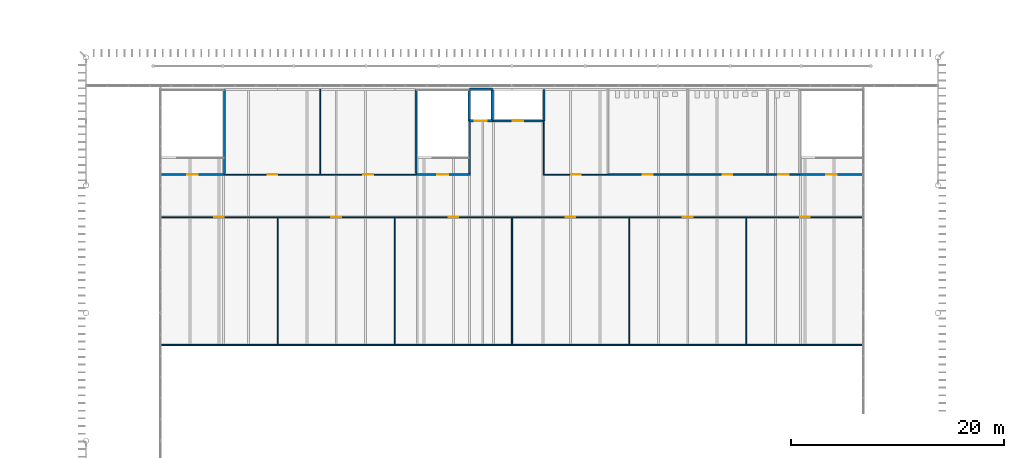
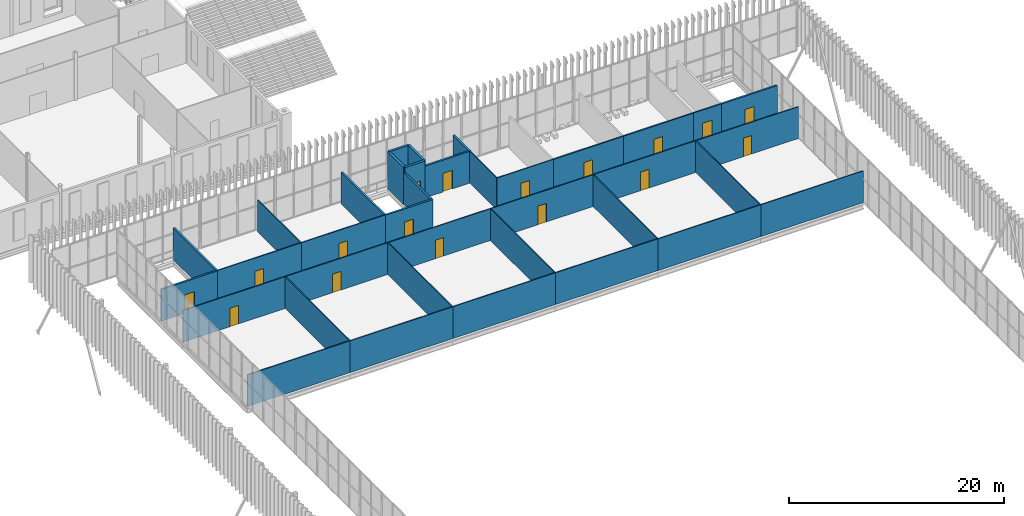
# One storey, part 110 of 170: 37 walls, 17 doors, 17 openings.
"""IFC4 building model written with IfcOpenShell, lengths in metres."""

from ifc_helpers import new_model, si_unit, direction, frame, frame_2d, origin, place, context, subcontext, project, spatial, rectangle, extrude, material, layer, layer_set, type_object, element, fill, save


model = new_model("IFC4")

# Units and contexts
model_context = context("Model", 3, precision=1e-05, world=origin(), true_north=direction((0.0, 1.0)))
body_context = subcontext(model_context, "Body", "Model", "MODEL_VIEW")
ifc_project = project(units=[si_unit("LENGTHUNIT", "METRE"), si_unit("AREAUNIT", "SQUARE_METRE"), si_unit("VOLUMEUNIT", "CUBIC_METRE"), si_unit("PLANEANGLEUNIT", "RADIAN"), si_unit("MASSUNIT", "GRAM", prefix="KILO")], contexts=[model_context])

# Site, building, storey
site_placement = place(None, origin())
site = spatial("IfcSite", under=ifc_project, at=site_placement, CompositionType="ELEMENT")
building_placement = place(site_placement, origin())
building = spatial("IfcBuilding", under=site, at=building_placement, Name="Ravi Spectrum Wholesale Market", CompositionType="ELEMENT")
storey_placement = place(building_placement, frame((0.0, 0.0, 5.39990234375)))
storey = spatial("IfcBuildingStorey", under=building, at=storey_placement, Name="L01", CompositionType="ELEMENT", Elevation=5.39990234375)

# Wall, opening, door
ifc_material_1 = material(Name="Concrete blockwork", Category="masonry")
ifc_layer_1 = layer(ifc_material_1, 0.14990234375)
ifc_layer_set_1 = layer_set([ifc_layer_1], Name="Concrete blockwork")
wall_type_1 = type_object("IfcWallType", Name="Blockwork partition 150", PredefinedType="PARTITIONING", material=ifc_layer_set_1)
wall_1_placement = place(storey_placement, frame((79.0, 187.0, 0.0), z_axis=(0.0, 0.0, 1.0), x_axis=(1.0, 0.0, 0.0)))
wall_1 = element("IfcWall", 1, at=wall_1_placement, inside=storey, type_object=wall_type_1, Name="H1-WL-L01-018", PredefinedType="PARTITIONING", context=body_context, shape_type="SweptSolid", body=[
    extrude(rectangle(XDim=7.5, YDim=0.14990234375, at=frame_2d((3.75, 0.0))), origin(), (0.0, 0.0, 1.0), 3.60009765625),
])
opening_1_placement = place(wall_1_placement, frame((3.300048828125, 0.0, 0.0)))
opening_1 = element("IfcOpeningElement", 2, at=opening_1_placement, cuts=wall_1, Name="Opening D164", PredefinedType="OPENING", context=body_context, shape_type="SweptSolid", body=[
    extrude(rectangle(XDim=0.89990234375, YDim=2.10009765625, at=frame_2d((0.449951171875, 1.050048828125))), frame((0.0, 0.0849609375, 0.0), z_axis=(0.0, -1.0, 0.0), x_axis=(1.0, 0.0, 0.0)), (0.0, 0.0, 1.0), 0.169921875),
])
ifc_material_2 = material(Name="Timber door", Category="wood")
door_type_1 = type_object("IfcDoorType", Name="Toilet door 900 x 2100", OperationType="SINGLE_SWING_LEFT", PredefinedType="DOOR", material=ifc_material_2)
door_1_placement = place(opening_1_placement, origin())
door_1 = element("IfcDoor", 3, at=door_1_placement, inside=storey, type_object=door_type_1, Name="Door D164", OperationType="SINGLE_SWING_LEFT", OverallHeight=2.10009765625, OverallWidth=0.89990234375, PredefinedType="DOOR", context=body_context, shape_type="SweptSolid", body=[
    extrude(rectangle(XDim=0.89990234375, YDim=2.10009765625, at=frame_2d((0.449951171875, 1.050048828125))), frame((0.0, 0.02490234375, 0.0), z_axis=(0.0, -1.0, 0.0), x_axis=(1.0, 0.0, 0.0)), (0.0, 0.0, 1.0), 0.050048828125),
])
fill(opening_1, door_1)

wall_2_placement = place(storey_placement, frame((86.5, 187.0, 0.0), z_axis=(0.0, 0.0, 1.0), x_axis=(1.0, 0.0, 0.0)))
wall_2 = element("IfcWall", 4, at=wall_2_placement, inside=storey, type_object=wall_type_1, Name="H1-WL-L01-019", PredefinedType="PARTITIONING", context=body_context, shape_type="SweptSolid", body=[
    extrude(rectangle(XDim=7.5, YDim=0.14990234375, at=frame_2d((3.75, 0.0))), origin(), (0.0, 0.0, 1.0), 3.60009765625),
])
opening_2_placement = place(wall_2_placement, frame((3.300048828125, 0.0, 0.0)))
opening_2 = element("IfcOpeningElement", 5, at=opening_2_placement, cuts=wall_2, Name="Opening D165", PredefinedType="OPENING", context=body_context, shape_type="SweptSolid", body=[
    extrude(rectangle(XDim=0.89990234375, YDim=2.10009765625, at=frame_2d((0.449951171875, 1.050048828125))), frame((0.0, 0.0849609375, 0.0), z_axis=(0.0, -1.0, 0.0), x_axis=(1.0, 0.0, 0.0)), (0.0, 0.0, 1.0), 0.169921875),
])
door_2_placement = place(opening_2_placement, origin())
door_2 = element("IfcDoor", 6, at=door_2_placement, inside=storey, type_object=door_type_1, Name="Door D165", OperationType="SINGLE_SWING_LEFT", OverallHeight=2.10009765625, OverallWidth=0.89990234375, PredefinedType="DOOR", context=body_context, shape_type="SweptSolid", body=[
    extrude(rectangle(XDim=0.89990234375, YDim=2.10009765625, at=frame_2d((0.449951171875, 1.050048828125))), frame((0.0, 0.02490234375, 0.0), z_axis=(0.0, -1.0, 0.0), x_axis=(1.0, 0.0, 0.0)), (0.0, 0.0, 1.0), 0.050048828125),
])
fill(opening_2, door_2)

wall_3_placement = place(storey_placement, frame((94.0, 187.0, 0.0), z_axis=(0.0, 0.0, 1.0), x_axis=(1.0, 0.0, 0.0)))
wall_3 = element("IfcWall", 7, at=wall_3_placement, inside=storey, type_object=wall_type_1, Name="H1-WL-L01-020", PredefinedType="PARTITIONING", context=body_context, shape_type="SweptSolid", body=[
    extrude(rectangle(XDim=3.0, YDim=0.14990234375, at=frame_2d((1.5, 0.0))), origin(), (0.0, 0.0, 1.0), 3.60009765625),
])
opening_3_placement = place(wall_3_placement, frame((1.0, 0.0, 0.0)))
opening_3 = element("IfcOpeningElement", 8, at=opening_3_placement, cuts=wall_3, Name="Opening D166", PredefinedType="OPENING", context=body_context, shape_type="SweptSolid", body=[
    extrude(rectangle(XDim=1.0, YDim=2.10009765625, at=frame_2d((0.5, 1.050048828125))), frame((0.0, 0.0849609375, 0.0), z_axis=(0.0, -1.0, 0.0), x_axis=(1.0, 0.0, 0.0)), (0.0, 0.0, 1.0), 0.169921875),
])
ifc_material_3 = material(Name="Timber door", Category="wood")
door_type_2 = type_object("IfcDoorType", Name="Accessible toilet door 1000 x 2100", OperationType="SINGLE_SWING_LEFT", PredefinedType="DOOR", material=ifc_material_3)
door_3_placement = place(opening_3_placement, origin())
door_3 = element("IfcDoor", 9, at=door_3_placement, inside=storey, type_object=door_type_2, Name="Door D166", OperationType="SINGLE_SWING_LEFT", OverallHeight=2.10009765625, OverallWidth=1.0, PredefinedType="DOOR", context=body_context, shape_type="SweptSolid", body=[
    extrude(rectangle(XDim=1.0, YDim=2.10009765625, at=frame_2d((0.5, 1.050048828125))), frame((0.0, 0.02490234375, 0.0), z_axis=(0.0, -1.0, 0.0), x_axis=(1.0, 0.0, 0.0)), (0.0, 0.0, 1.0), 0.050048828125),
])
fill(opening_3, door_3)

ifc_material_4 = material(Name="Concrete blockwork", Category="masonry")
ifc_layer_2 = layer(ifc_material_4, 0.199951171875)
ifc_layer_set_2 = layer_set([ifc_layer_2], Name="Concrete blockwork")
wall_type_2 = type_object("IfcWallType", Name="Blockwork partition 200 fire", PredefinedType="PARTITIONING", material=ifc_layer_set_2)
wall_4_placement = place(storey_placement, frame((37.0, 187.0, 0.0), z_axis=(0.0, 0.0, 1.0), x_axis=(1.0, 0.0, 0.0)))
wall_4 = element("IfcWall", 10, at=wall_4_placement, inside=storey, type_object=wall_type_2, Name="H1-WL-L01-013", PredefinedType="PARTITIONING", context=body_context, shape_type="SweptSolid", body=[
    extrude(rectangle(XDim=6.0, YDim=0.199951171875, at=frame_2d((3.0, 0.0))), origin(), (0.0, 0.0, 1.0), 3.60009765625),
])
opening_4_placement = place(wall_4_placement, frame((2.5, 0.0, 0.0)))
opening_4 = element("IfcOpeningElement", 11, at=opening_4_placement, cuts=wall_4, Name="Opening D176", PredefinedType="OPENING", context=body_context, shape_type="SweptSolid", body=[
    extrude(rectangle(XDim=1.0, YDim=2.10009765625, at=frame_2d((0.5, 1.050048828125))), frame((0.0, 0.10986328125, 0.0), z_axis=(0.0, -1.0, 0.0), x_axis=(1.0, 0.0, 0.0)), (0.0, 0.0, 1.0), 0.219970703125),
])
ifc_material_5 = material(Name="Steel door", Category="steel")
door_type_3 = type_object("IfcDoorType", Name="Stair door 1000 x 2100", OperationType="SINGLE_SWING_LEFT", PredefinedType="DOOR", material=ifc_material_5)
door_4_placement = place(opening_4_placement, origin())
door_4 = element("IfcDoor", 12, at=door_4_placement, inside=storey, type_object=door_type_3, Name="Door D176", OperationType="SINGLE_SWING_RIGHT", OverallHeight=2.10009765625, OverallWidth=1.0, PredefinedType="DOOR", context=body_context, shape_type="SweptSolid", body=[
    extrude(rectangle(XDim=1.0, YDim=2.10009765625, at=frame_2d((0.5, 1.050048828125))), frame((0.0, 0.02490234375, 0.0), z_axis=(0.0, -1.0, 0.0), x_axis=(1.0, 0.0, 0.0)), (0.0, 0.0, 1.0), 0.050048828125),
])
fill(opening_4, door_4)

wall_5_placement = place(storey_placement, frame((61.0, 187.0, 0.0), z_axis=(0.0, 0.0, 1.0), x_axis=(1.0, 0.0, 0.0)))
wall_5 = element("IfcWall", 13, at=wall_5_placement, inside=storey, type_object=wall_type_2, Name="H1-WL-L01-016", PredefinedType="PARTITIONING", context=body_context, shape_type="SweptSolid", body=[
    extrude(rectangle(XDim=5.10009765625, YDim=0.199951171875, at=frame_2d((2.550048828125, 0.0))), origin(), (0.0, 0.0, 1.0), 3.60009765625),
])
opening_5_placement = place(wall_5_placement, frame((2.0, 0.0, 0.0)))
opening_5 = element("IfcOpeningElement", 14, at=opening_5_placement, cuts=wall_5, Name="Opening D179", PredefinedType="OPENING", context=body_context, shape_type="SweptSolid", body=[
    extrude(rectangle(XDim=1.0, YDim=2.10009765625, at=frame_2d((0.5, 1.050048828125))), frame((0.0, 0.10986328125, 0.0), z_axis=(0.0, -1.0, 0.0), x_axis=(1.0, 0.0, 0.0)), (0.0, 0.0, 1.0), 0.219970703125),
])
door_5_placement = place(opening_5_placement, origin())
door_5 = element("IfcDoor", 15, at=door_5_placement, inside=storey, type_object=door_type_3, Name="Door D179", OperationType="SINGLE_SWING_RIGHT", OverallHeight=2.10009765625, OverallWidth=1.0, PredefinedType="DOOR", context=body_context, shape_type="SweptSolid", body=[
    extrude(rectangle(XDim=1.0, YDim=2.10009765625, at=frame_2d((0.5, 1.050048828125))), frame((0.0, 0.02490234375, 0.0), z_axis=(0.0, -1.0, 0.0), x_axis=(1.0, 0.0, 0.0)), (0.0, 0.0, 1.0), 0.050048828125),
])
fill(opening_5, door_5)

wall_6_placement = place(storey_placement, frame((97.0, 187.0, 0.0), z_axis=(0.0, 0.0, 1.0), x_axis=(1.0, 0.0, 0.0)))
wall_6 = element("IfcWall", 16, at=wall_6_placement, inside=storey, type_object=wall_type_2, Name="H1-WL-L01-021", PredefinedType="PARTITIONING", context=body_context, shape_type="SweptSolid", body=[
    extrude(rectangle(XDim=6.0, YDim=0.199951171875, at=frame_2d((3.0, 0.0))), origin(), (0.0, 0.0, 1.0), 3.60009765625),
])
opening_6_placement = place(wall_6_placement, frame((2.5, 0.0, 0.0)))
opening_6 = element("IfcOpeningElement", 17, at=opening_6_placement, cuts=wall_6, Name="Opening D177", PredefinedType="OPENING", context=body_context, shape_type="SweptSolid", body=[
    extrude(rectangle(XDim=1.0, YDim=2.10009765625, at=frame_2d((0.5, 1.050048828125))), frame((0.0, 0.10986328125, 0.0), z_axis=(0.0, -1.0, 0.0), x_axis=(1.0, 0.0, 0.0)), (0.0, 0.0, 1.0), 0.219970703125),
])
door_6_placement = place(opening_6_placement, origin())
door_6 = element("IfcDoor", 18, at=door_6_placement, inside=storey, type_object=door_type_3, Name="Door D177", OperationType="SINGLE_SWING_LEFT", OverallHeight=2.10009765625, OverallWidth=1.0, PredefinedType="DOOR", context=body_context, shape_type="SweptSolid", body=[
    extrude(rectangle(XDim=1.0, YDim=2.10009765625, at=frame_2d((0.5, 1.050048828125))), frame((0.0, 0.02490234375, 0.0), z_axis=(0.0, -1.0, 0.0), x_axis=(1.0, 0.0, 0.0)), (0.0, 0.0, 1.0), 0.050048828125),
])
fill(opening_6, door_6)

wall_7_placement = place(storey_placement, frame((68.14990234375, 192.050048828125, 0.0), z_axis=(0.0, 0.0, 1.0), x_axis=(1.0, 0.0, 0.0)))
wall_7 = element("IfcWall", 19, at=wall_7_placement, inside=storey, type_object=wall_type_2, Name="H1-WL-L01-022", PredefinedType="PARTITIONING", context=body_context, shape_type="SweptSolid", body=[
    extrude(rectangle(XDim=4.75, YDim=0.199951171875, at=frame_2d((2.375, 0.0))), origin(), (0.0, 0.0, 1.0), 3.60009765625),
])
opening_7_placement = place(wall_7_placement, frame((1.925048828125, 0.0, 0.0)))
opening_7 = element("IfcOpeningElement", 20, at=opening_7_placement, cuts=wall_7, Name="Opening D180", PredefinedType="OPENING", context=body_context, shape_type="SweptSolid", body=[
    extrude(rectangle(XDim=1.0, YDim=2.10009765625, at=frame_2d((0.5, 1.050048828125))), frame((0.0, 0.10986328125, 0.0), z_axis=(0.0, -1.0, 0.0), x_axis=(1.0, 0.0, 0.0)), (0.0, 0.0, 1.0), 0.219970703125),
])
ifc_material_6 = material(Name="Steel door", Category="steel")
door_type_4 = type_object("IfcDoorType", Name="Plant room door 1000 x 2100", OperationType="SINGLE_SWING_LEFT", PredefinedType="DOOR", material=ifc_material_6)
door_7_placement = place(opening_7_placement, origin())
door_7 = element("IfcDoor", 21, at=door_7_placement, inside=storey, type_object=door_type_4, Name="Riser access door D180", OperationType="SINGLE_SWING_LEFT", OverallHeight=2.10009765625, OverallWidth=1.0, PredefinedType="DOOR", context=body_context, shape_type="SweptSolid", body=[
    extrude(rectangle(XDim=1.0, YDim=2.10009765625, at=frame_2d((0.5, 1.050048828125))), frame((0.0, 0.02490234375, 0.0), z_axis=(0.0, -1.0, 0.0), x_axis=(1.0, 0.0, 0.0)), (0.0, 0.0, 1.0), 0.050048828125),
])
fill(opening_7, door_7)

# Walls
for number, where, z_axis, x_axis, name in (
    (22, (43.0, 187.10009765625, 0.0), (0.0, 0.0, 1.0), (0.0, 1.0, 0.0), "H1-WL-L01-023"),
    (23, (61.0, 187.10009765625, 0.0), (0.0, 0.0, 1.0), (0.0, 1.0, 0.0), "H1-WL-L01-027"),
):
    element("IfcWall", number, at=place(storey_placement, frame(where, z_axis=z_axis, x_axis=x_axis)), inside=storey, type_object=wall_type_2, Name=name, PredefinedType="PARTITIONING", context=body_context, shape_type="SweptSolid", body=[
        extrude(rectangle(XDim=7.89990234375, YDim=0.199951171875, at=frame_2d((3.949951171875, 0.0))), origin(), (0.0, 0.0, 1.0), 3.60009765625),
    ])
wall_8_placement = place(storey_placement, frame((66.0, 187.10009765625, 0.0), z_axis=(0.0, 0.0, 1.0), x_axis=(0.0, 1.0, 0.0)))
element("IfcWall", 24, at=wall_8_placement, inside=storey, type_object=wall_type_2, Name="H1-WL-L01-028", PredefinedType="PARTITIONING", context=body_context, shape_type="SweptSolid", body=[
    extrude(rectangle(XDim=4.949951171875, YDim=0.199951171875, at=frame_2d((2.47509765625, 0.0))), origin(), (0.0, 0.0, 1.0), 3.60009765625),
])
wall_9_placement = place(storey_placement, frame((73.0, 192.050048828125, 0.0), z_axis=(0.0, 0.0, 1.0), x_axis=(0.0, 1.0, 0.0)))
element("IfcWall", 25, at=wall_9_placement, inside=storey, type_object=wall_type_2, Name="H1-WL-L01-031", PredefinedType="PARTITIONING", context=body_context, shape_type="SweptSolid", body=[
    extrude(rectangle(XDim=2.949951171875, YDim=0.199951171875, at=frame_2d((1.47509765625, 0.0))), origin(), (0.0, 0.0, 1.0), 3.60009765625),
])
ifc_material_7 = material(Name="Gypsum board partition")
ifc_layer_3 = layer(ifc_material_7, 0.10009765625)
ifc_layer_set_3 = layer_set([ifc_layer_3], Name="Gypsum board partition")
wall_type_3 = type_object("IfcWallType", Name="Drywall partition 100", PredefinedType="PARTITIONING", material=ifc_layer_set_3)
for number, where, z_axis, x_axis, name in (
    (26, (37.0, 171.0, 0.0), (0.0, 0.0, 1.0), (1.0, 0.0, 0.0), "H1-WL-L01-001"),
    (27, (48.0, 171.0, 0.0), (0.0, 0.0, 1.0), (1.0, 0.0, 0.0), "H1-WL-L01-002"),
    (28, (59.0, 171.0, 0.0), (0.0, 0.0, 1.0), (1.0, 0.0, 0.0), "H1-WL-L01-003"),
    (29, (70.0, 171.0, 0.0), (0.0, 0.0, 1.0), (1.0, 0.0, 0.0), "H1-WL-L01-004"),
    (30, (81.0, 171.0, 0.0), (0.0, 0.0, 1.0), (1.0, 0.0, 0.0), "H1-WL-L01-005"),
    (31, (92.0, 171.0, 0.0), (0.0, 0.0, 1.0), (1.0, 0.0, 0.0), "H1-WL-L01-006"),
):
    element("IfcWall", number, at=place(storey_placement, frame(where, z_axis=z_axis, x_axis=x_axis)), inside=storey, type_object=wall_type_3, Name=name, PredefinedType="PARTITIONING", context=body_context, shape_type="SweptSolid", body=[
        extrude(rectangle(XDim=11.0, YDim=0.10009765625, at=frame_2d((5.5, 0.0))), origin(), (0.0, 0.0, 1.0), 3.60009765625),
    ])

# Wall, opening, door
wall_10_placement = place(storey_placement, frame((37.0, 183.0, 0.0), z_axis=(0.0, 0.0, 1.0), x_axis=(1.0, 0.0, 0.0)))
wall_10 = element("IfcWall", 32, at=wall_10_placement, inside=storey, type_object=wall_type_3, Name="H1-WL-L01-007", PredefinedType="PARTITIONING", context=body_context, shape_type="SweptSolid", body=[
    extrude(rectangle(XDim=11.0, YDim=0.10009765625, at=frame_2d((5.5, 0.0))), origin(), (0.0, 0.0, 1.0), 3.60009765625),
])
opening_8_placement = place(wall_10_placement, frame((5.050048828125, 0.0, 0.0)))
opening_8 = element("IfcOpeningElement", 33, at=opening_8_placement, cuts=wall_10, Name="Opening D167", PredefinedType="OPENING", context=body_context, shape_type="SweptSolid", body=[
    extrude(rectangle(XDim=0.89990234375, YDim=2.10009765625, at=frame_2d((0.449951171875, 1.050048828125))), frame((0.0, 0.06005859375, 0.0), z_axis=(0.0, -1.0, 0.0), x_axis=(1.0, 0.0, 0.0)), (0.0, 0.0, 1.0), 0.1201171875),
])
ifc_material_8 = material(Name="Timber door", Category="wood")
door_type_5 = type_object("IfcDoorType", Name="Office door 900 x 2100", OperationType="SINGLE_SWING_LEFT", PredefinedType="DOOR", material=ifc_material_8)
door_8_placement = place(opening_8_placement, origin())
door_8 = element("IfcDoor", 34, at=door_8_placement, inside=storey, type_object=door_type_5, Name="Door D167", OperationType="SINGLE_SWING_LEFT", OverallHeight=2.10009765625, OverallWidth=0.89990234375, PredefinedType="DOOR", context=body_context, shape_type="SweptSolid", body=[
    extrude(rectangle(XDim=0.89990234375, YDim=2.10009765625, at=frame_2d((0.449951171875, 1.050048828125))), frame((0.0, 0.02490234375, 0.0), z_axis=(0.0, -1.0, 0.0), x_axis=(1.0, 0.0, 0.0)), (0.0, 0.0, 1.0), 0.050048828125),
])
fill(opening_8, door_8)

wall_11_placement = place(storey_placement, frame((48.0, 183.0, 0.0), z_axis=(0.0, 0.0, 1.0), x_axis=(1.0, 0.0, 0.0)))
wall_11 = element("IfcWall", 35, at=wall_11_placement, inside=storey, type_object=wall_type_3, Name="H1-WL-L01-008", PredefinedType="PARTITIONING", context=body_context, shape_type="SweptSolid", body=[
    extrude(rectangle(XDim=11.0, YDim=0.10009765625, at=frame_2d((5.5, 0.0))), origin(), (0.0, 0.0, 1.0), 3.60009765625),
])
opening_9_placement = place(wall_11_placement, frame((5.050048828125, 0.0, 0.0)))
opening_9 = element("IfcOpeningElement", 36, at=opening_9_placement, cuts=wall_11, Name="Opening D168", PredefinedType="OPENING", context=body_context, shape_type="SweptSolid", body=[
    extrude(rectangle(XDim=0.89990234375, YDim=2.10009765625, at=frame_2d((0.449951171875, 1.050048828125))), frame((0.0, 0.06005859375, 0.0), z_axis=(0.0, -1.0, 0.0), x_axis=(1.0, 0.0, 0.0)), (0.0, 0.0, 1.0), 0.1201171875),
])
door_9_placement = place(opening_9_placement, origin())
door_9 = element("IfcDoor", 37, at=door_9_placement, inside=storey, type_object=door_type_5, Name="Door D168", OperationType="SINGLE_SWING_RIGHT", OverallHeight=2.10009765625, OverallWidth=0.89990234375, PredefinedType="DOOR", context=body_context, shape_type="SweptSolid", body=[
    extrude(rectangle(XDim=0.89990234375, YDim=2.10009765625, at=frame_2d((0.449951171875, 1.050048828125))), frame((0.0, 0.02490234375, 0.0), z_axis=(0.0, -1.0, 0.0), x_axis=(1.0, 0.0, 0.0)), (0.0, 0.0, 1.0), 0.050048828125),
])
fill(opening_9, door_9)

wall_12_placement = place(storey_placement, frame((59.0, 183.0, 0.0), z_axis=(0.0, 0.0, 1.0), x_axis=(1.0, 0.0, 0.0)))
wall_12 = element("IfcWall", 38, at=wall_12_placement, inside=storey, type_object=wall_type_3, Name="H1-WL-L01-009", PredefinedType="PARTITIONING", context=body_context, shape_type="SweptSolid", body=[
    extrude(rectangle(XDim=11.0, YDim=0.10009765625, at=frame_2d((5.5, 0.0))), origin(), (0.0, 0.0, 1.0), 3.60009765625),
])
opening_10_placement = place(wall_12_placement, frame((5.050048828125, 0.0, 0.0)))
opening_10 = element("IfcOpeningElement", 39, at=opening_10_placement, cuts=wall_12, Name="Opening D169", PredefinedType="OPENING", context=body_context, shape_type="SweptSolid", body=[
    extrude(rectangle(XDim=0.89990234375, YDim=2.10009765625, at=frame_2d((0.449951171875, 1.050048828125))), frame((0.0, 0.06005859375, 0.0), z_axis=(0.0, -1.0, 0.0), x_axis=(1.0, 0.0, 0.0)), (0.0, 0.0, 1.0), 0.1201171875),
])
door_10_placement = place(opening_10_placement, origin())
door_10 = element("IfcDoor", 40, at=door_10_placement, inside=storey, type_object=door_type_5, Name="Door D169", OperationType="SINGLE_SWING_LEFT", OverallHeight=2.10009765625, OverallWidth=0.89990234375, PredefinedType="DOOR", context=body_context, shape_type="SweptSolid", body=[
    extrude(rectangle(XDim=0.89990234375, YDim=2.10009765625, at=frame_2d((0.449951171875, 1.050048828125))), frame((0.0, 0.02490234375, 0.0), z_axis=(0.0, -1.0, 0.0), x_axis=(1.0, 0.0, 0.0)), (0.0, 0.0, 1.0), 0.050048828125),
])
fill(opening_10, door_10)

wall_13_placement = place(storey_placement, frame((70.0, 183.0, 0.0), z_axis=(0.0, 0.0, 1.0), x_axis=(1.0, 0.0, 0.0)))
wall_13 = element("IfcWall", 41, at=wall_13_placement, inside=storey, type_object=wall_type_3, Name="H1-WL-L01-010", PredefinedType="PARTITIONING", context=body_context, shape_type="SweptSolid", body=[
    extrude(rectangle(XDim=11.0, YDim=0.10009765625, at=frame_2d((5.5, 0.0))), origin(), (0.0, 0.0, 1.0), 3.60009765625),
])
opening_11_placement = place(wall_13_placement, frame((5.050048828125, 0.0, 0.0)))
opening_11 = element("IfcOpeningElement", 42, at=opening_11_placement, cuts=wall_13, Name="Opening D170", PredefinedType="OPENING", context=body_context, shape_type="SweptSolid", body=[
    extrude(rectangle(XDim=0.89990234375, YDim=2.10009765625, at=frame_2d((0.449951171875, 1.050048828125))), frame((0.0, 0.06005859375, 0.0), z_axis=(0.0, -1.0, 0.0), x_axis=(1.0, 0.0, 0.0)), (0.0, 0.0, 1.0), 0.1201171875),
])
door_11_placement = place(opening_11_placement, origin())
door_11 = element("IfcDoor", 43, at=door_11_placement, inside=storey, type_object=door_type_5, Name="Door D170", OperationType="SINGLE_SWING_LEFT", OverallHeight=2.10009765625, OverallWidth=0.89990234375, PredefinedType="DOOR", context=body_context, shape_type="SweptSolid", body=[
    extrude(rectangle(XDim=0.89990234375, YDim=2.10009765625, at=frame_2d((0.449951171875, 1.050048828125))), frame((0.0, 0.02490234375, 0.0), z_axis=(0.0, -1.0, 0.0), x_axis=(1.0, 0.0, 0.0)), (0.0, 0.0, 1.0), 0.050048828125),
])
fill(opening_11, door_11)

wall_14_placement = place(storey_placement, frame((81.0, 183.0, 0.0), z_axis=(0.0, 0.0, 1.0), x_axis=(1.0, 0.0, 0.0)))
wall_14 = element("IfcWall", 44, at=wall_14_placement, inside=storey, type_object=wall_type_3, Name="H1-WL-L01-011", PredefinedType="PARTITIONING", context=body_context, shape_type="SweptSolid", body=[
    extrude(rectangle(XDim=11.0, YDim=0.10009765625, at=frame_2d((5.5, 0.0))), origin(), (0.0, 0.0, 1.0), 3.60009765625),
])
opening_12_placement = place(wall_14_placement, frame((5.050048828125, 0.0, 0.0)))
opening_12 = element("IfcOpeningElement", 45, at=opening_12_placement, cuts=wall_14, Name="Opening D171", PredefinedType="OPENING", context=body_context, shape_type="SweptSolid", body=[
    extrude(rectangle(XDim=0.89990234375, YDim=2.10009765625, at=frame_2d((0.449951171875, 1.050048828125))), frame((0.0, 0.06005859375, 0.0), z_axis=(0.0, -1.0, 0.0), x_axis=(1.0, 0.0, 0.0)), (0.0, 0.0, 1.0), 0.1201171875),
])
door_12_placement = place(opening_12_placement, origin())
door_12 = element("IfcDoor", 46, at=door_12_placement, inside=storey, type_object=door_type_5, Name="Door D171", OperationType="SINGLE_SWING_LEFT", OverallHeight=2.10009765625, OverallWidth=0.89990234375, PredefinedType="DOOR", context=body_context, shape_type="SweptSolid", body=[
    extrude(rectangle(XDim=0.89990234375, YDim=2.10009765625, at=frame_2d((0.449951171875, 1.050048828125))), frame((0.0, 0.02490234375, 0.0), z_axis=(0.0, -1.0, 0.0), x_axis=(1.0, 0.0, 0.0)), (0.0, 0.0, 1.0), 0.050048828125),
])
fill(opening_12, door_12)

wall_15_placement = place(storey_placement, frame((92.0, 183.0, 0.0), z_axis=(0.0, 0.0, 1.0), x_axis=(1.0, 0.0, 0.0)))
wall_15 = element("IfcWall", 47, at=wall_15_placement, inside=storey, type_object=wall_type_3, Name="H1-WL-L01-012", PredefinedType="PARTITIONING", context=body_context, shape_type="SweptSolid", body=[
    extrude(rectangle(XDim=11.0, YDim=0.10009765625, at=frame_2d((5.5, 0.0))), origin(), (0.0, 0.0, 1.0), 3.60009765625),
])
opening_13_placement = place(wall_15_placement, frame((5.050048828125, 0.0, 0.0)))
opening_13 = element("IfcOpeningElement", 48, at=opening_13_placement, cuts=wall_15, Name="Opening D172", PredefinedType="OPENING", context=body_context, shape_type="SweptSolid", body=[
    extrude(rectangle(XDim=0.89990234375, YDim=2.10009765625, at=frame_2d((0.449951171875, 1.050048828125))), frame((0.0, 0.06005859375, 0.0), z_axis=(0.0, -1.0, 0.0), x_axis=(1.0, 0.0, 0.0)), (0.0, 0.0, 1.0), 0.1201171875),
])
door_13_placement = place(opening_13_placement, origin())
door_13 = element("IfcDoor", 49, at=door_13_placement, inside=storey, type_object=door_type_5, Name="Door D172", OperationType="SINGLE_SWING_LEFT", OverallHeight=2.10009765625, OverallWidth=0.89990234375, PredefinedType="DOOR", context=body_context, shape_type="SweptSolid", body=[
    extrude(rectangle(XDim=0.89990234375, YDim=2.10009765625, at=frame_2d((0.449951171875, 1.050048828125))), frame((0.0, 0.02490234375, 0.0), z_axis=(0.0, -1.0, 0.0), x_axis=(1.0, 0.0, 0.0)), (0.0, 0.0, 1.0), 0.050048828125),
])
fill(opening_13, door_13)

wall_16_placement = place(storey_placement, frame((43.0, 187.0, 0.0), z_axis=(0.0, 0.0, 1.0), x_axis=(1.0, 0.0, 0.0)))
wall_16 = element("IfcWall", 50, at=wall_16_placement, inside=storey, type_object=wall_type_3, Name="H1-WL-L01-014", PredefinedType="PARTITIONING", context=body_context, shape_type="SweptSolid", body=[
    extrude(rectangle(XDim=9.0, YDim=0.10009765625, at=frame_2d((4.5, 0.0))), origin(), (0.0, 0.0, 1.0), 3.60009765625),
])
opening_14_placement = place(wall_16_placement, frame((4.050048828125, 0.0, 0.0)))
opening_14 = element("IfcOpeningElement", 51, at=opening_14_placement, cuts=wall_16, Name="Opening D173", PredefinedType="OPENING", context=body_context, shape_type="SweptSolid", body=[
    extrude(rectangle(XDim=0.89990234375, YDim=2.10009765625, at=frame_2d((0.449951171875, 1.050048828125))), frame((0.0, 0.06005859375, 0.0), z_axis=(0.0, -1.0, 0.0), x_axis=(1.0, 0.0, 0.0)), (0.0, 0.0, 1.0), 0.1201171875),
])
door_14_placement = place(opening_14_placement, origin())
door_14 = element("IfcDoor", 52, at=door_14_placement, inside=storey, type_object=door_type_5, Name="Door D173", OperationType="SINGLE_SWING_RIGHT", OverallHeight=2.10009765625, OverallWidth=0.89990234375, PredefinedType="DOOR", context=body_context, shape_type="SweptSolid", body=[
    extrude(rectangle(XDim=0.89990234375, YDim=2.10009765625, at=frame_2d((0.449951171875, 1.050048828125))), frame((0.0, 0.02490234375, 0.0), z_axis=(0.0, -1.0, 0.0), x_axis=(1.0, 0.0, 0.0)), (0.0, 0.0, 1.0), 0.050048828125),
])
fill(opening_14, door_14)

wall_17_placement = place(storey_placement, frame((52.0, 187.0, 0.0), z_axis=(0.0, 0.0, 1.0), x_axis=(1.0, 0.0, 0.0)))
wall_17 = element("IfcWall", 53, at=wall_17_placement, inside=storey, type_object=wall_type_3, Name="H1-WL-L01-015", PredefinedType="PARTITIONING", context=body_context, shape_type="SweptSolid", body=[
    extrude(rectangle(XDim=9.0, YDim=0.10009765625, at=frame_2d((4.5, 0.0))), origin(), (0.0, 0.0, 1.0), 3.60009765625),
])
opening_15_placement = place(wall_17_placement, frame((4.050048828125, 0.0, 0.0)))
opening_15 = element("IfcOpeningElement", 54, at=opening_15_placement, cuts=wall_17, Name="Opening D174", PredefinedType="OPENING", context=body_context, shape_type="SweptSolid", body=[
    extrude(rectangle(XDim=0.89990234375, YDim=2.10009765625, at=frame_2d((0.449951171875, 1.050048828125))), frame((0.0, 0.06005859375, 0.0), z_axis=(0.0, -1.0, 0.0), x_axis=(1.0, 0.0, 0.0)), (0.0, 0.0, 1.0), 0.1201171875),
])
door_15_placement = place(opening_15_placement, origin())
door_15 = element("IfcDoor", 55, at=door_15_placement, inside=storey, type_object=door_type_5, Name="Door D174", OperationType="SINGLE_SWING_RIGHT", OverallHeight=2.10009765625, OverallWidth=0.89990234375, PredefinedType="DOOR", context=body_context, shape_type="SweptSolid", body=[
    extrude(rectangle(XDim=0.89990234375, YDim=2.10009765625, at=frame_2d((0.449951171875, 1.050048828125))), frame((0.0, 0.02490234375, 0.0), z_axis=(0.0, -1.0, 0.0), x_axis=(1.0, 0.0, 0.0)), (0.0, 0.0, 1.0), 0.050048828125),
])
fill(opening_15, door_15)

wall_18_placement = place(storey_placement, frame((72.949951171875, 187.0, 0.0), z_axis=(0.0, 0.0, 1.0), x_axis=(1.0, 0.0, 0.0)))
wall_18 = element("IfcWall", 56, at=wall_18_placement, inside=storey, type_object=wall_type_3, Name="H1-WL-L01-017", PredefinedType="PARTITIONING", context=body_context, shape_type="SweptSolid", body=[
    extrude(rectangle(XDim=6.050048828125, YDim=0.10009765625, at=frame_2d((3.02490234375, 0.0))), origin(), (0.0, 0.0, 1.0), 3.60009765625),
])
opening_16_placement = place(wall_18_placement, frame((2.60009765625, 0.0, 0.0)))
opening_16 = element("IfcOpeningElement", 57, at=opening_16_placement, cuts=wall_18, Name="Opening D175", PredefinedType="OPENING", context=body_context, shape_type="SweptSolid", body=[
    extrude(rectangle(XDim=0.89990234375, YDim=2.10009765625, at=frame_2d((0.449951171875, 1.050048828125))), frame((0.0, 0.06005859375, 0.0), z_axis=(0.0, -1.0, 0.0), x_axis=(1.0, 0.0, 0.0)), (0.0, 0.0, 1.0), 0.1201171875),
])
door_16_placement = place(opening_16_placement, origin())
door_16 = element("IfcDoor", 58, at=door_16_placement, inside=storey, type_object=door_type_5, Name="Door D175", OperationType="SINGLE_SWING_LEFT", OverallHeight=2.10009765625, OverallWidth=0.89990234375, PredefinedType="DOOR", context=body_context, shape_type="SweptSolid", body=[
    extrude(rectangle(XDim=0.89990234375, YDim=2.10009765625, at=frame_2d((0.449951171875, 1.050048828125))), frame((0.0, 0.02490234375, 0.0), z_axis=(0.0, -1.0, 0.0), x_axis=(1.0, 0.0, 0.0)), (0.0, 0.0, 1.0), 0.050048828125),
])
fill(opening_16, door_16)

# Walls
wall_19_placement = place(storey_placement, frame((48.0, 171.050048828125, 0.0), z_axis=(0.0, 0.0, 1.0), x_axis=(0.0, 1.0, 0.0)))
element("IfcWall", 59, at=wall_19_placement, inside=storey, type_object=wall_type_3, Name="H1-WL-L01-024", PredefinedType="PARTITIONING", context=body_context, shape_type="SweptSolid", body=[
    extrude(rectangle(XDim=11.89990234375, YDim=0.10009765625, at=frame_2d((5.949951171875, 0.0))), origin(), (0.0, 0.0, 1.0), 3.60009765625),
])
wall_20_placement = place(storey_placement, frame((52.0, 187.050048828125, 0.0), z_axis=(0.0, 0.0, 1.0), x_axis=(0.0, 1.0, 0.0)))
element("IfcWall", 60, at=wall_20_placement, inside=storey, type_object=wall_type_3, Name="H1-WL-L01-025", PredefinedType="PARTITIONING", context=body_context, shape_type="SweptSolid", body=[
    extrude(rectangle(XDim=7.949951171875, YDim=0.10009765625, at=frame_2d((3.97509765625, 0.0))), origin(), (0.0, 0.0, 1.0), 3.60009765625),
])
for number, where, z_axis, x_axis, name in (
    (61, (59.0, 171.050048828125, 0.0), (0.0, 0.0, 1.0), (0.0, 1.0, 0.0), "H1-WL-L01-026"),
    (62, (70.0, 171.050048828125, 0.0), (0.0, 0.0, 1.0), (0.0, 1.0, 0.0), "H1-WL-L01-029"),
):
    element("IfcWall", number, at=place(storey_placement, frame(where, z_axis=z_axis, x_axis=x_axis)), inside=storey, type_object=wall_type_3, Name=name, PredefinedType="PARTITIONING", context=body_context, shape_type="SweptSolid", body=[
        extrude(rectangle(XDim=11.89990234375, YDim=0.10009765625, at=frame_2d((5.949951171875, 0.0))), origin(), (0.0, 0.0, 1.0), 3.60009765625),
    ])
wall_21_placement = place(storey_placement, frame((73.0, 187.050048828125, 0.0), z_axis=(0.0, 0.0, 1.0), x_axis=(0.0, 1.0, 0.0)))
element("IfcWall", 63, at=wall_21_placement, inside=storey, type_object=wall_type_3, Name="H1-WL-L01-030", PredefinedType="PARTITIONING", context=body_context, shape_type="SweptSolid", body=[
    extrude(rectangle(XDim=5.0, YDim=0.10009765625, at=frame_2d((2.5, 0.0))), origin(), (0.0, 0.0, 1.0), 3.60009765625),
])
for number, where, z_axis, x_axis, name in (
    (64, (81.0, 171.050048828125, 0.0), (0.0, 0.0, 1.0), (0.0, 1.0, 0.0), "H1-WL-L01-033"),
    (65, (92.0, 171.050048828125, 0.0), (0.0, 0.0, 1.0), (0.0, 1.0, 0.0), "H1-WL-L01-035"),
):
    element("IfcWall", number, at=place(storey_placement, frame(where, z_axis=z_axis, x_axis=x_axis)), inside=storey, type_object=wall_type_3, Name=name, PredefinedType="PARTITIONING", context=body_context, shape_type="SweptSolid", body=[
        extrude(rectangle(XDim=11.89990234375, YDim=0.10009765625, at=frame_2d((5.949951171875, 0.0))), origin(), (0.0, 0.0, 1.0), 3.60009765625),
    ])
ifc_material_9 = material(Name="Concrete C35/45", Category="concrete")
ifc_layer_4 = layer(ifc_material_9, 0.25)
ifc_layer_set_4 = layer_set([ifc_layer_4], Name="Concrete C35/45")
wall_type_4 = type_object("IfcWallType", Name="Shaft wall 250", PredefinedType="SHEAR", material=ifc_layer_set_4)
wall_22_placement = place(storey_placement, frame((68.14990234375, 192.050048828125, 0.0), z_axis=(0.0, 0.0, 1.0), x_axis=(0.0, 1.0, 0.0)))
element("IfcWall", 66, at=wall_22_placement, inside=storey, type_object=wall_type_4, Name="H1-WL-L01-LF-H1-1-E", PredefinedType="SHEAR", context=body_context, shape_type="SweptSolid", body=[
    extrude(rectangle(XDim=2.949951171875, YDim=0.25, at=frame_2d((1.47509765625, 0.0))), origin(), (0.0, 0.0, 1.0), 4.2001953125),
])
wall_23_placement = place(storey_placement, frame((68.14990234375, 195.0, 0.0), z_axis=(0.0, 0.0, 1.0), x_axis=(-1.0, 0.0, 0.0)))
element("IfcWall", 67, at=wall_23_placement, inside=storey, type_object=wall_type_4, Name="H1-WL-L01-LF-H1-1-N", PredefinedType="SHEAR", context=body_context, shape_type="SweptSolid", body=[
    extrude(rectangle(XDim=2.14990234375, YDim=0.25, at=frame_2d((1.074951171875, 0.0))), origin(), (0.0, 0.0, 1.0), 4.2001953125),
])

# Wall, opening, door
wall_24_placement = place(storey_placement, frame((66.0, 192.050048828125, 0.0), z_axis=(0.0, 0.0, 1.0), x_axis=(1.0, 0.0, 0.0)))
wall_24 = element("IfcWall", 68, at=wall_24_placement, inside=storey, type_object=wall_type_4, Name="H1-WL-L01-LF-H1-1-S", PredefinedType="SHEAR", context=body_context, shape_type="SweptSolid", body=[
    extrude(rectangle(XDim=2.14990234375, YDim=0.25, at=frame_2d((1.074951171875, 0.0))), origin(), (0.0, 0.0, 1.0), 4.2001953125),
])
opening_17_placement = place(wall_24_placement, frame((0.52490234375, 0.0, 0.0)))
opening_17 = element("IfcOpeningElement", 69, at=opening_17_placement, cuts=wall_24, Name="Opening D182", PredefinedType="OPENING", context=body_context, shape_type="SweptSolid", body=[
    extrude(rectangle(XDim=1.10009765625, YDim=2.10009765625, at=frame_2d((0.550048828125, 1.050048828125))), frame((0.0, 0.135009765625, 0.0), z_axis=(0.0, -1.0, 0.0), x_axis=(1.0, 0.0, 0.0)), (0.0, 0.0, 1.0), 0.27001953125),
])
ifc_material_10 = material(Name="Stainless steel door", Category="steel")
door_type_6 = type_object("IfcDoorType", Name="Lift landing door 1100 x 2100", OperationType="SLIDING_TO_LEFT", PredefinedType="DOOR", material=ifc_material_10)
door_17_placement = place(opening_17_placement, origin())
door_17 = element("IfcDoor", 70, at=door_17_placement, inside=storey, type_object=door_type_6, Name="Landing door LF-H1-1 L01", OperationType="SLIDING_TO_LEFT", OverallHeight=2.10009765625, OverallWidth=1.10009765625, PredefinedType="DOOR", context=body_context, shape_type="SweptSolid", body=[
    extrude(rectangle(XDim=1.10009765625, YDim=2.10009765625, at=frame_2d((0.550048828125, 1.050048828125))), frame((0.0, 0.02490234375, 0.0), z_axis=(0.0, -1.0, 0.0), x_axis=(1.0, 0.0, 0.0)), (0.0, 0.0, 1.0), 0.050048828125),
])
fill(opening_17, door_17)

# Wall
wall_25_placement = place(storey_placement, frame((66.0, 195.0, 0.0), z_axis=(0.0, 0.0, 1.0), x_axis=(0.0, -1.0, 0.0)))
element("IfcWall", 71, at=wall_25_placement, inside=storey, type_object=wall_type_4, Name="H1-WL-L01-LF-H1-1-W", PredefinedType="SHEAR", context=body_context, shape_type="SweptSolid", body=[
    extrude(rectangle(XDim=2.949951171875, YDim=0.25, at=frame_2d((1.47509765625, 0.0))), origin(), (0.0, 0.0, 1.0), 4.2001953125),
])

save(model, "model.ifc")
